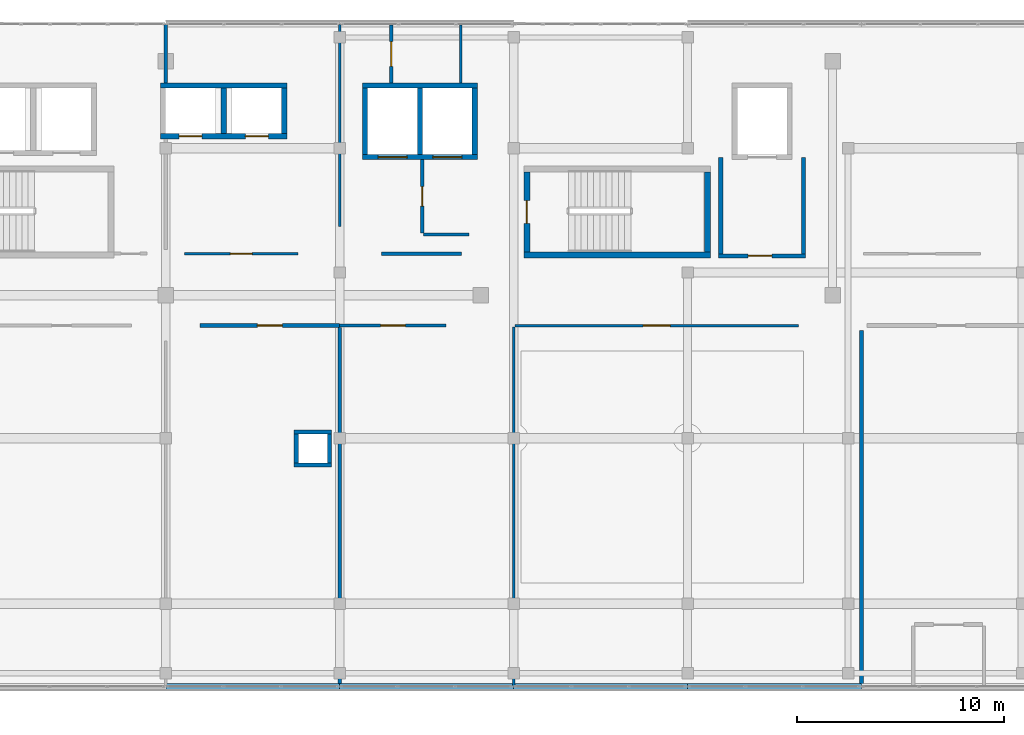
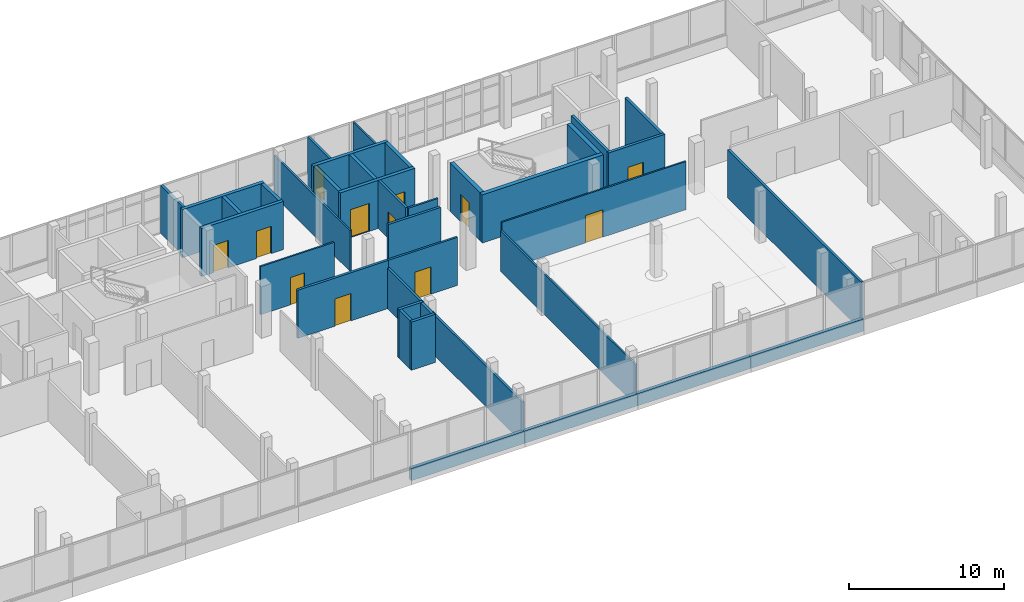
# One storey, part 58 of 66: 37 walls, 12 doors, 12 openings.
"""IFC4 building model written with IfcOpenShell, lengths in metres."""

from ifc_helpers import new_model, si_unit, direction, frame, frame_2d, origin, place, context, subcontext, project, spatial, rectangle, extrude, material, layer, layer_set, type_object, element, fill, save


model = new_model("IFC4")

# Units and contexts
model_context = context("Model", 3, precision=1e-05, world=origin(), true_north=direction((0.0, 1.0)))
body_context = subcontext(model_context, "Body", "Model", "MODEL_VIEW")
ifc_project = project(units=[si_unit("LENGTHUNIT", "METRE"), si_unit("AREAUNIT", "SQUARE_METRE"), si_unit("VOLUMEUNIT", "CUBIC_METRE"), si_unit("PLANEANGLEUNIT", "RADIAN"), si_unit("MASSUNIT", "GRAM", prefix="KILO")], contexts=[model_context])

# Site, building, storey
site_placement = place(None, origin())
site = spatial("IfcSite", under=ifc_project, at=site_placement, CompositionType="ELEMENT")
building_placement = place(site_placement, origin())
building = spatial("IfcBuilding", under=site, at=building_placement, Name="Selatvlak General Hospital", CompositionType="ELEMENT")
storey_placement = place(building_placement, frame((0.0, 0.0, 31.35009765625)))
storey = spatial("IfcBuildingStorey", under=building, at=storey_placement, Name="L07", CompositionType="ELEMENT", Elevation=31.35009765625)

# Walls
ifc_material_1 = material(Name="Precast concrete C40/50 - white Bauhaus spandrel", Category="concrete")
ifc_layer_1 = layer(ifc_material_1, 0.280029296875, Name="Precast concrete C40/50 - white Bauhaus spandrel", Category="concrete")
ifc_layer_set_1 = layer_set([ifc_layer_1], Name="Precast concrete C40/50 - white Bauhaus spandrel")
wall_type_1 = type_object("IfcWallType", Name="WALL-EW-02", PredefinedType="SOLIDWALL", material=ifc_layer_set_1)
for number, where, z_axis, x_axis, name in (
    (1, (148.798095703125, 88.0009765625, 0.0), (0.0, 0.0, 1.0), (-1.0, 0.0, 0.0), "L07 Bauhaus spandrel sill wall 0588"),
    (2, (140.39794921875, 88.0009765625, 0.0), (0.0, 0.0, 1.0), (-1.0, 0.0, 0.0), "L07 Bauhaus spandrel sill wall 0589"),
    (3, (131.998046875, 88.0009765625, 0.0), (0.0, 0.0, 1.0), (-1.0, 0.0, 0.0), "L07 Bauhaus spandrel sill wall 0590"),
    (4, (123.597900390625, 88.0009765625, 0.0), (0.0, 0.0, 1.0), (-1.0, 0.0, 0.0), "L07 Bauhaus spandrel sill wall 0591"),
):
    element("IfcWall", number, at=place(storey_placement, frame(where, z_axis=z_axis, x_axis=x_axis)), inside=storey, type_object=wall_type_1, Name=name, PredefinedType="SOLIDWALL", context=body_context, shape_type="SweptSolid", body=[
        extrude(rectangle(XDim=8.39599609375, YDim=0.280029296875, at=frame_2d((4.197998046875, 0.0))), origin(), (0.0, 0.0, 1.0), 0.93994140625),
    ])

# Wall, opening, door
ifc_material_2 = material(Name="Concrete C40/50", Category="concrete")
ifc_layer_2 = layer(ifc_material_2, 0.199951171875, Name="Concrete C40/50", Category="concrete")
ifc_layer_set_2 = layer_set([ifc_layer_2], Name="Concrete C40/50")
wall_type_2 = type_object("IfcWallType", Name="WALL-IW-02", PredefinedType="SOLIDWALL", material=ifc_layer_set_2)
wall_1_placement = place(storey_placement, frame((141.89990234375, 108.800048828125, 0.0), z_axis=(0.0, 0.0, 1.0), x_axis=(1.0, 0.0, 0.0)))
wall_1 = element("IfcWall", 5, at=wall_1_placement, inside=storey, type_object=wall_type_2, Name="Firefighting lobby C4 wall L07 S", PredefinedType="SOLIDWALL", context=body_context, shape_type="SweptSolid", body=[
    extrude(rectangle(XDim=4.2001953125, YDim=0.199951171875, at=frame_2d((2.10009765625, 0.0))), origin(), (0.0, 0.0, 1.0), 3.784912109375),
])
opening_1_placement = place(wall_1_placement, frame((1.425048828125, 0.0, 0.0)))
opening_1 = element("IfcOpeningElement", 6, at=opening_1_placement, cuts=wall_1, Name="Opening D-06", PredefinedType="OPENING", context=body_context, shape_type="SweptSolid", body=[
    extrude(rectangle(XDim=1.14990234375, YDim=2.14990234375, at=frame_2d((0.574951171875, 1.074951171875))), frame((0.0, 0.10986328125, 0.0), z_axis=(0.0, -1.0, 0.0), x_axis=(1.0, 0.0, 0.0)), (0.0, 0.0, 1.0), 0.219970703125),
])
ifc_material_3 = material(Name="Firefighting lobby fire door")
door_type_1 = type_object("IfcDoorType", Name="DOOR-D-06", OperationType="NOTDEFINED", PredefinedType="DOOR", material=ifc_material_3)
door_1_placement = place(opening_1_placement, origin())
door_1 = element("IfcDoor", 7, at=door_1_placement, inside=storey, type_object=door_type_1, Name="Firefighting lobby C4 door on L07", OperationType="SINGLE_SWING_LEFT", OverallHeight=2.14990234375, OverallWidth=1.14990234375, PredefinedType="DOOR", context=body_context, shape_type="SweptSolid", body=[
    extrude(rectangle(XDim=1.14990234375, YDim=2.14990234375, at=frame_2d((0.574951171875, 1.074951171875))), frame((0.0, 0.02490234375, 0.0), z_axis=(0.0, -1.0, 0.0), x_axis=(1.0, 0.0, 0.0)), (0.0, 0.0, 1.0), 0.050048828125),
])
fill(opening_1, door_1)

# Walls
for number, where, z_axis, x_axis, name in (
    (8, (146.0, 108.89990234375, 0.0), (0.0, 0.0, 1.0), (0.0, 1.0, 0.0), "Firefighting lobby C4 wall L07 E"),
    (9, (142.0, 113.550048828125, 0.0), (0.0, 0.0, 1.0), (0.0, -1.0, 0.0), "Firefighting lobby C4 wall L07 W"),
):
    element("IfcWall", number, at=place(storey_placement, frame(where, z_axis=z_axis, x_axis=x_axis)), inside=storey, type_object=wall_type_2, Name=name, PredefinedType="SOLIDWALL", context=body_context, shape_type="SweptSolid", body=[
        extrude(rectangle(XDim=4.650146484375, YDim=0.199951171875, at=frame_2d((2.3251953125, 0.0))), origin(), (0.0, 0.0, 1.0), 3.784912109375),
    ])
wall_2_placement = place(storey_placement, frame((121.39990234375, 98.699951171875, 0.0), z_axis=(0.0, 0.0, 1.0), x_axis=(1.0, 0.0, 0.0)))
element("IfcWall", 10, at=wall_2_placement, inside=storey, type_object=wall_type_2, Name="Service riser 2 shaft wall L07 S", PredefinedType="SOLIDWALL", context=body_context, shape_type="SweptSolid", body=[
    extrude(rectangle(XDim=1.800048828125, YDim=0.199951171875, at=frame_2d((0.89990234375, 0.0))), origin(), (0.0, 0.0, 1.0), 3.784912109375),
])
wall_3_placement = place(storey_placement, frame((123.10009765625, 98.800048828125, 0.0), z_axis=(0.0, 0.0, 1.0), x_axis=(0.0, 1.0, 0.0)))
element("IfcWall", 11, at=wall_3_placement, inside=storey, type_object=wall_type_2, Name="Service riser 2 shaft wall L07 E", PredefinedType="SOLIDWALL", context=body_context, shape_type="SweptSolid", body=[
    extrude(rectangle(XDim=1.39990234375, YDim=0.199951171875, at=frame_2d((0.699951171875, 0.0))), origin(), (0.0, 0.0, 1.0), 3.784912109375),
])
wall_4_placement = place(storey_placement, frame((123.199951171875, 100.300048828125, 0.0), z_axis=(0.0, 0.0, 1.0), x_axis=(-1.0, 0.0, 0.0)))
element("IfcWall", 12, at=wall_4_placement, inside=storey, type_object=wall_type_2, Name="Service riser 2 shaft wall L07 N", PredefinedType="SOLIDWALL", context=body_context, shape_type="SweptSolid", body=[
    extrude(rectangle(XDim=1.800048828125, YDim=0.199951171875, at=frame_2d((0.89990234375, 0.0))), origin(), (0.0, 0.0, 1.0), 3.784912109375),
])
wall_5_placement = place(storey_placement, frame((121.5, 100.199951171875, 0.0), z_axis=(0.0, 0.0, 1.0), x_axis=(0.0, -1.0, 0.0)))
element("IfcWall", 13, at=wall_5_placement, inside=storey, type_object=wall_type_2, Name="Service riser 2 shaft wall L07 W", PredefinedType="SOLIDWALL", context=body_context, shape_type="SweptSolid", body=[
    extrude(rectangle(XDim=1.39990234375, YDim=0.199951171875, at=frame_2d((0.699951171875, 0.0))), origin(), (0.0, 0.0, 1.0), 3.784912109375),
])

# Wall, opening, door
ifc_material_4 = material(Name="Acoustic gypsum stud partition")
ifc_layer_3 = layer(ifc_material_4, 0.179931640625, Name="Acoustic gypsum stud partition")
ifc_layer_set_3 = layer_set([ifc_layer_3], Name="Acoustic gypsum stud partition")
wall_type_3 = type_object("IfcWallType", Name="WALL-PT-01", PredefinedType="PARTITIONING", material=ifc_layer_set_3)
wall_6_placement = place(storey_placement, frame((116.85595703125, 105.43994140625, 0.0), z_axis=(0.0, 0.0, 1.0), x_axis=(1.0, 0.0, 0.0)))
wall_6 = element("IfcWall", 14, at=wall_6_placement, inside=storey, type_object=wall_type_3, Name="L07 clinical partition PT-L07-2100", PredefinedType="PARTITIONING", context=body_context, shape_type="SweptSolid", body=[
    extrude(rectangle(XDim=6.744140625, YDim=0.179931640625, at=frame_2d((3.3720703125, 0.0))), origin(), (0.0, 0.0, 1.0), 3.784912109375),
])
opening_2_placement = place(wall_6_placement, frame((2.77197265625, 0.0, 0.0)))
opening_2 = element("IfcOpeningElement", 15, at=opening_2_placement, cuts=wall_6, Name="Opening D-07", PredefinedType="OPENING", context=body_context, shape_type="SweptSolid", body=[
    extrude(rectangle(XDim=1.199951171875, YDim=2.14990234375, at=frame_2d((0.60009765625, 1.074951171875))), frame((0.0, 0.099853515625, 0.0), z_axis=(0.0, -1.0, 0.0), x_axis=(1.0, 0.0, 0.0)), (0.0, 0.0, 1.0), 0.199951171875),
])
ifc_material_5 = material(Name="Plant and store fire door")
door_type_2 = type_object("IfcDoorType", Name="DOOR-D-07", OperationType="NOTDEFINED", PredefinedType="DOOR", material=ifc_material_5)
door_2_placement = place(opening_2_placement, origin())
door_2 = element("IfcDoor", 16, at=door_2_placement, inside=storey, type_object=door_type_2, Name="L07 Multidisciplinary Rehabilitation Gymnasium 10 door", OperationType="SINGLE_SWING_RIGHT", OverallHeight=2.14990234375, OverallWidth=1.199951171875, PredefinedType="DOOR", context=body_context, shape_type="SweptSolid", body=[
    extrude(rectangle(XDim=1.199951171875, YDim=2.14990234375, at=frame_2d((0.60009765625, 1.074951171875))), frame((0.0, 0.02490234375, 0.0), z_axis=(0.0, -1.0, 0.0), x_axis=(1.0, 0.0, 0.0)), (0.0, 0.0, 1.0), 0.050048828125),
])
fill(opening_2, door_2)

# Walls
wall_7_placement = place(storey_placement, frame((148.800048828125, 105.18994140625, 0.0), z_axis=(0.0, 0.0, 1.0), x_axis=(0.0, -1.0, 0.0)))
element("IfcWall", 17, at=wall_7_placement, inside=storey, type_object=wall_type_3, Name="L07 clinical partition PT-L07-2105", PredefinedType="PARTITIONING", context=body_context, shape_type="SweptSolid", body=[
    extrude(rectangle(XDim=17.179931640625, YDim=0.179931640625, at=frame_2d((8.58984375, 0.0))), origin(), (0.0, 0.0, 1.0), 3.784912109375),
])
wall_8_placement = place(storey_placement, frame((115.199951171875, 119.989990234375, 0.0), z_axis=(0.0, 0.0, 1.0), x_axis=(0.0, -1.0, 0.0)))
element("IfcWall", 18, at=wall_8_placement, inside=storey, type_object=wall_type_3, Name="L07 clinical partition PT-L07-2135", PredefinedType="PARTITIONING", context=body_context, shape_type="SweptSolid", body=[
    extrude(rectangle(XDim=2.843017578125, YDim=0.179931640625, at=frame_2d((1.42138671875, 0.0))), origin(), (0.0, 0.0, 1.0), 3.784912109375),
])
wall_9_placement = place(storey_placement, frame((129.487060546875, 108.909912109375, 0.0), z_axis=(0.0, 0.0, 1.0), x_axis=(-1.0, 0.0, 0.0)))
element("IfcWall", 19, at=wall_9_placement, inside=storey, type_object=wall_type_3, Name="L07 clinical partition PT-L07-2142", PredefinedType="PARTITIONING", context=body_context, shape_type="SweptSolid", body=[
    extrude(rectangle(XDim=3.8759765625, YDim=0.179931640625, at=frame_2d((1.93798828125, 0.0))), origin(), (0.0, 0.0, 1.0), 3.784912109375),
])
ifc_layer_4 = layer(ifc_material_4, 0.1650390625, Name="Acoustic gypsum stud partition")
ifc_layer_set_4 = layer_set([ifc_layer_4], Name="Acoustic gypsum stud partition")
wall_type_4 = type_object("IfcWallType", Name="WALL-PT-02", PredefinedType="PARTITIONING", material=ifc_layer_set_4)
wall_10_placement = place(storey_placement, frame((123.60009765625, 105.35400390625, 0.0), z_axis=(0.0, 0.0, 1.0), x_axis=(0.0, -1.0, 0.0)))
element("IfcWall", 20, at=wall_10_placement, inside=storey, type_object=wall_type_4, Name="L07 clinical partition PT-L07-2101", PredefinedType="PARTITIONING", context=body_context, shape_type="SweptSolid", body=[
    extrude(rectangle(XDim=17.343994140625, YDim=0.1650390625, at=frame_2d((8.671875, 0.0))), origin(), (0.0, 0.0, 1.0), 3.184814453125),
])

# Wall, opening, door
wall_11_placement = place(storey_placement, frame((127.590087890625, 113.452880859375, 0.0), z_axis=(0.0, 0.0, 1.0), x_axis=(0.0, -1.0, 0.0)))
wall_11 = element("IfcWall", 21, at=wall_11_placement, inside=storey, type_object=wall_type_4, Name="L07 clinical partition PT-L07-2140", PredefinedType="PARTITIONING", context=body_context, shape_type="SweptSolid", body=[
    extrude(rectangle(XDim=3.552978515625, YDim=0.1650390625, at=frame_2d((1.7763671875, 0.0))), origin(), (0.0, 0.0, 1.0), 3.784912109375),
])
opening_3_placement = place(wall_11_placement, frame((1.301025390625, 0.0, 0.0)))
opening_3 = element("IfcOpeningElement", 22, at=opening_3_placement, cuts=wall_11, Name="Opening D-02", PredefinedType="OPENING", context=body_context, shape_type="SweptSolid", body=[
    extrude(rectangle(XDim=0.949951171875, YDim=2.10009765625, at=frame_2d((0.47509765625, 1.050048828125))), frame((0.0, 0.092529296875, 0.0), z_axis=(0.0, -1.0, 0.0), x_axis=(1.0, 0.0, 0.0)), (0.0, 0.0, 1.0), 0.18505859375),
])
ifc_material_6 = material(Name="Moisture-resistant en-suite door")
door_type_3 = type_object("IfcDoorType", Name="DOOR-D-02", OperationType="NOTDEFINED", PredefinedType="DOOR", material=ifc_material_6)
door_3_placement = place(opening_3_placement, origin())
door_3 = element("IfcDoor", 23, at=door_3_placement, inside=storey, type_object=door_type_3, Name="L07 Single Patient Room 25 door", OperationType="SINGLE_SWING_LEFT", OverallHeight=2.10009765625, OverallWidth=0.949951171875, PredefinedType="DOOR", context=body_context, shape_type="SweptSolid", body=[
    extrude(rectangle(XDim=0.949951171875, YDim=2.10009765625, at=frame_2d((0.47509765625, 1.050048828125))), frame((0.0, 0.02490234375, 0.0), z_axis=(0.0, -1.0, 0.0), x_axis=(1.0, 0.0, 0.0)), (0.0, 0.0, 1.0), 0.050048828125),
])
fill(opening_3, door_3)

wall_12_placement = place(storey_placement, frame((126.090087890625, 119.9580078125, 0.0), z_axis=(0.0, 0.0, 1.0), x_axis=(0.0, -1.0, 0.0)))
wall_12 = element("IfcWall", 24, at=wall_12_placement, inside=storey, type_object=wall_type_4, Name="L07 clinical partition PT-L07-2143", PredefinedType="PARTITIONING", context=body_context, shape_type="SweptSolid", body=[
    extrude(rectangle(XDim=2.81103515625, YDim=0.1650390625, at=frame_2d((1.405517578125, 0.0))), origin(), (0.0, 0.0, 1.0), 3.784912109375),
])
opening_4_placement = place(wall_12_placement, frame((0.804931640625, 0.0, 0.0)))
opening_4 = element("IfcOpeningElement", 25, at=opening_4_placement, cuts=wall_12, Name="Opening D-07", PredefinedType="OPENING", context=body_context, shape_type="SweptSolid", body=[
    extrude(rectangle(XDim=1.199951171875, YDim=2.14990234375, at=frame_2d((0.60009765625, 1.074951171875))), frame((0.0, 0.092529296875, 0.0), z_axis=(0.0, -1.0, 0.0), x_axis=(1.0, 0.0, 0.0)), (0.0, 0.0, 1.0), 0.18505859375),
])
door_4_placement = place(opening_4_placement, origin())
door_4 = element("IfcDoor", 26, at=door_4_placement, inside=storey, type_object=door_type_2, Name="L07 Patient En-Suite WC 25 door", OperationType="SINGLE_SWING_RIGHT", OverallHeight=2.14990234375, OverallWidth=1.199951171875, PredefinedType="DOOR", context=body_context, shape_type="SweptSolid", body=[
    extrude(rectangle(XDim=1.199951171875, YDim=2.14990234375, at=frame_2d((0.60009765625, 1.074951171875))), frame((0.0, 0.02490234375, 0.0), z_axis=(0.0, -1.0, 0.0), x_axis=(1.0, 0.0, 0.0)), (0.0, 0.0, 1.0), 0.050048828125),
])
fill(opening_4, door_4)

ifc_layer_5 = layer(ifc_material_4, 0.14990234375, Name="Acoustic gypsum stud partition")
ifc_layer_set_5 = layer_set([ifc_layer_5], Name="Acoustic gypsum stud partition")
wall_type_5 = type_object("IfcWallType", Name="WALL-PT-03", PredefinedType="PARTITIONING", material=ifc_layer_set_5)
wall_13_placement = place(storey_placement, frame((123.60009765625, 105.43994140625, 0.0), z_axis=(0.0, 0.0, 1.0), x_axis=(1.0, 0.0, 0.0)))
wall_13 = element("IfcWall", 27, at=wall_13_placement, inside=storey, type_object=wall_type_5, Name="L07 clinical partition PT-L07-2102", PredefinedType="PARTITIONING", context=body_context, shape_type="SweptSolid", body=[
    extrude(rectangle(XDim=5.143798828125, YDim=0.14990234375, at=frame_2d((2.57177734375, 0.0))), origin(), (0.0, 0.0, 1.0), 3.784912109375),
])
opening_5_placement = place(wall_13_placement, frame((1.971923828125, 0.0, 0.0)))
opening_5 = element("IfcOpeningElement", 28, at=opening_5_placement, cuts=wall_13, Name="Opening D-23", PredefinedType="OPENING", context=body_context, shape_type="SweptSolid", body=[
    extrude(rectangle(XDim=1.199951171875, YDim=2.14990234375, at=frame_2d((0.60009765625, 1.074951171875))), frame((0.0, 0.0849609375, 0.0), z_axis=(0.0, -1.0, 0.0), x_axis=(1.0, 0.0, 0.0)), (0.0, 0.0, 1.0), 0.169921875),
])
ifc_material_7 = material(Name="Endoscopy clinical door")
door_type_4 = type_object("IfcDoorType", Name="DOOR-D-23", OperationType="NOTDEFINED", PredefinedType="DOOR", material=ifc_material_7)
door_5_placement = place(opening_5_placement, origin())
door_5 = element("IfcDoor", 29, at=door_5_placement, inside=storey, type_object=door_type_4, Name="L07 Hospital Administration Office 11 door", OperationType="SINGLE_SWING_LEFT", OverallHeight=2.14990234375, OverallWidth=1.199951171875, PredefinedType="DOOR", context=body_context, shape_type="SweptSolid", body=[
    extrude(rectangle(XDim=1.199951171875, YDim=2.14990234375, at=frame_2d((0.60009765625, 1.074951171875))), frame((0.0, 0.02490234375, 0.0), z_axis=(0.0, -1.0, 0.0), x_axis=(1.0, 0.0, 0.0)), (0.0, 0.0, 1.0), 0.050048828125),
])
fill(opening_5, door_5)

# Walls
ifc_material_8 = material(Name="Moisture-resistant clinical partition")
ifc_layer_6 = layer(ifc_material_8, 0.135009765625, Name="Moisture-resistant clinical partition")
ifc_layer_set_6 = layer_set([ifc_layer_6], Name="Moisture-resistant clinical partition")
wall_type_6 = type_object("IfcWallType", Name="WALL-PT-04", PredefinedType="PARTITIONING", material=ifc_layer_set_6)
wall_14_placement = place(storey_placement, frame((132.0, 105.3779296875, 0.0), z_axis=(0.0, 0.0, 1.0), x_axis=(0.0, -1.0, 0.0)))
element("IfcWall", 30, at=wall_14_placement, inside=storey, type_object=wall_type_6, Name="L07 clinical partition PT-L07-2103", PredefinedType="PARTITIONING", context=body_context, shape_type="SweptSolid", body=[
    extrude(rectangle(XDim=17.367919921875, YDim=0.135009765625, at=frame_2d((8.68408203125, 0.0))), origin(), (0.0, 0.0, 1.0), 3.184814453125),
])
wall_15_placement = place(storey_placement, frame((123.60009765625, 119.989990234375, 0.0), z_axis=(0.0, 0.0, 1.0), x_axis=(0.0, -1.0, 0.0)))
element("IfcWall", 31, at=wall_15_placement, inside=storey, type_object=wall_type_6, Name="L07 clinical partition PT-L07-2138", PredefinedType="PARTITIONING", context=body_context, shape_type="SweptSolid", body=[
    extrude(rectangle(XDim=9.780029296875, YDim=0.135009765625, at=frame_2d((4.89013671875, 0.0))), origin(), (0.0, 0.0, 1.0), 3.184814453125),
])
wall_16_placement = place(storey_placement, frame((127.64990234375, 109.840087890625, 0.0), z_axis=(0.0, 0.0, 1.0), x_axis=(1.0, 0.0, 0.0)))
element("IfcWall", 32, at=wall_16_placement, inside=storey, type_object=wall_type_6, Name="L07 clinical partition PT-L07-2141", PredefinedType="PARTITIONING", context=body_context, shape_type="SweptSolid", body=[
    extrude(rectangle(XDim=2.190185546875, YDim=0.135009765625, at=frame_2d((1.09521484375, 0.0))), origin(), (0.0, 0.0, 1.0), 3.784912109375),
])
wall_17_placement = place(storey_placement, frame((129.449951171875, 119.9580078125, 0.0), z_axis=(0.0, 0.0, 1.0), x_axis=(0.0, -1.0, 0.0)))
element("IfcWall", 33, at=wall_17_placement, inside=storey, type_object=wall_type_6, Name="L07 clinical partition PT-L07-2144", PredefinedType="PARTITIONING", context=body_context, shape_type="SweptSolid", body=[
    extrude(rectangle(XDim=2.81103515625, YDim=0.135009765625, at=frame_2d((1.405517578125, 0.0))), origin(), (0.0, 0.0, 1.0), 3.784912109375),
])

# Wall, opening, door
ifc_layer_7 = layer(ifc_material_8, 0.1201171875, Name="Moisture-resistant clinical partition")
ifc_layer_set_7 = layer_set([ifc_layer_7], Name="Moisture-resistant clinical partition")
wall_type_7 = type_object("IfcWallType", Name="WALL-PT-05", PredefinedType="PARTITIONING", material=ifc_layer_set_7)
wall_18_placement = place(storey_placement, frame((132.055908203125, 105.43994140625, 0.0), z_axis=(0.0, 0.0, 1.0), x_axis=(1.0, 0.0, 0.0)))
wall_18 = element("IfcWall", 34, at=wall_18_placement, inside=storey, type_object=wall_type_7, Name="L07 clinical partition PT-L07-2104", PredefinedType="PARTITIONING", context=body_context, shape_type="SweptSolid", body=[
    extrude(rectangle(XDim=13.68798828125, YDim=0.1201171875, at=frame_2d((6.843994140625, 0.0))), origin(), (0.0, 0.0, 1.0), 3.784912109375),
])
opening_6_placement = place(wall_18_placement, frame((6.194091796875, 0.0, 0.0)))
opening_6 = element("IfcOpeningElement", 35, at=opening_6_placement, cuts=wall_18, Name="Opening D-24", PredefinedType="OPENING", context=body_context, shape_type="SweptSolid", body=[
    extrude(rectangle(XDim=1.300048828125, YDim=2.14990234375, at=frame_2d((0.64990234375, 1.074951171875))), frame((0.0, 0.070068359375, 0.0), z_axis=(0.0, -1.0, 0.0), x_axis=(1.0, 0.0, 0.0)), (0.0, 0.0, 1.0), 0.14013671875),
])
ifc_material_9 = material(Name="Oncology bay door")
door_type_5 = type_object("IfcDoorType", Name="DOOR-D-24", OperationType="NOTDEFINED", PredefinedType="DOOR", material=ifc_material_9)
door_6_placement = place(opening_6_placement, origin())
door_6 = element("IfcDoor", 36, at=door_6_placement, inside=storey, type_object=door_type_5, Name="L07 Multidisciplinary Rehabilitation Gymnasium 12 door", OperationType="SINGLE_SWING_RIGHT", OverallHeight=2.14990234375, OverallWidth=1.300048828125, PredefinedType="DOOR", context=body_context, shape_type="SweptSolid", body=[
    extrude(rectangle(XDim=1.300048828125, YDim=2.14990234375, at=frame_2d((0.64990234375, 1.074951171875))), frame((0.0, 0.02490234375, 0.0), z_axis=(0.0, -1.0, 0.0), x_axis=(1.0, 0.0, 0.0)), (0.0, 0.0, 1.0), 0.050048828125),
])
fill(opening_6, door_6)

wall_19_placement = place(storey_placement, frame((121.589111328125, 108.909912109375, 0.0), z_axis=(0.0, 0.0, 1.0), x_axis=(-1.0, 0.0, 0.0)))
wall_19 = element("IfcWall", 37, at=wall_19_placement, inside=storey, type_object=wall_type_7, Name="L07 clinical partition PT-L07-2139", PredefinedType="PARTITIONING", context=body_context, shape_type="SweptSolid", body=[
    extrude(rectangle(XDim=5.47607421875, YDim=0.1201171875, at=frame_2d((2.738037109375, 0.0))), origin(), (0.0, 0.0, 1.0), 3.784912109375),
])
opening_7_placement = place(wall_19_placement, frame((2.212890625, 0.0, 0.0)))
opening_7 = element("IfcOpeningElement", 38, at=opening_7_placement, cuts=wall_19, Name="Opening D-04", PredefinedType="OPENING", context=body_context, shape_type="SweptSolid", body=[
    extrude(rectangle(XDim=1.050048828125, YDim=2.14990234375, at=frame_2d((0.52490234375, 1.074951171875))), frame((0.0, 0.070068359375, 0.0), z_axis=(0.0, -1.0, 0.0), x_axis=(1.0, 0.0, 0.0)), (0.0, 0.0, 1.0), 0.14013671875),
])
ifc_material_10 = material(Name="Consultation room door")
door_type_6 = type_object("IfcDoorType", Name="DOOR-D-04", OperationType="NOTDEFINED", PredefinedType="DOOR", material=ifc_material_10)
door_7_placement = place(opening_7_placement, origin())
door_7 = element("IfcDoor", 39, at=door_7_placement, inside=storey, type_object=door_type_6, Name="L07 Physiotherapy Splint Room 24 door", OperationType="SINGLE_SWING_RIGHT", OverallHeight=2.14990234375, OverallWidth=1.050048828125, PredefinedType="DOOR", context=body_context, shape_type="SweptSolid", body=[
    extrude(rectangle(XDim=1.050048828125, YDim=2.14990234375, at=frame_2d((0.52490234375, 1.074951171875))), frame((0.0, 0.02490234375, 0.0), z_axis=(0.0, -1.0, 0.0), x_axis=(1.0, 0.0, 0.0)), (0.0, 0.0, 1.0), 0.050048828125),
])
fill(opening_7, door_7)

# Walls
ifc_material_11 = material(Name="Concrete C45/55", Category="concrete")
ifc_layer_8 = layer(ifc_material_11, 0.300048828125, Name="Concrete C45/55", Category="concrete")
ifc_layer_set_8 = layer_set([ifc_layer_8], Name="Concrete C45/55")
wall_type_8 = type_object("IfcWallType", Name="WALL-SW-02", PredefinedType="SHEAR", material=ifc_layer_set_8)
wall_20_placement = place(storey_placement, frame((132.489990234375, 108.840087890625, 0.0), z_axis=(0.0, 0.0, 1.0), x_axis=(1.0, 0.0, 0.0)))
element("IfcWall", 40, at=wall_20_placement, inside=storey, type_object=wall_type_8, Name="ST-04 core shear wall L07 S", PredefinedType="SHEAR", context=body_context, shape_type="SweptSolid", body=[
    extrude(rectangle(XDim=9.02001953125, YDim=0.300048828125, at=frame_2d((4.510009765625, 0.0))), origin(), (0.0, 0.0, 1.0), 3.784912109375),
])
wall_21_placement = place(storey_placement, frame((141.360107421875, 108.989990234375, 0.0), z_axis=(0.0, 0.0, 1.0), x_axis=(0.0, 1.0, 0.0)))
element("IfcWall", 41, at=wall_21_placement, inside=storey, type_object=wall_type_8, Name="ST-04 core shear wall L07 E", PredefinedType="SHEAR", context=body_context, shape_type="SweptSolid", body=[
    extrude(rectangle(XDim=3.860107421875, YDim=0.300048828125, at=frame_2d((1.93017578125, 0.0))), origin(), (0.0, 0.0, 1.0), 3.784912109375),
])

# Wall, opening, door
wall_22_placement = place(storey_placement, frame((132.639892578125, 112.85009765625, 0.0), z_axis=(0.0, 0.0, 1.0), x_axis=(0.0, -1.0, 0.0)))
wall_22 = element("IfcWall", 42, at=wall_22_placement, inside=storey, type_object=wall_type_8, Name="ST-04 core shear wall L07 W", PredefinedType="SHEAR", context=body_context, shape_type="SweptSolid", body=[
    extrude(rectangle(XDim=3.860107421875, YDim=0.300048828125, at=frame_2d((1.93017578125, 0.0))), origin(), (0.0, 0.0, 1.0), 3.784912109375),
])
opening_8_placement = place(wall_22_placement, frame((1.3798828125, 0.0, 0.0)))
opening_8 = element("IfcOpeningElement", 43, at=opening_8_placement, cuts=wall_22, Name="Opening D-05", PredefinedType="OPENING", context=body_context, shape_type="SweptSolid", body=[
    extrude(rectangle(XDim=1.10009765625, YDim=2.14990234375, at=frame_2d((0.550048828125, 1.074951171875))), frame((0.0, 0.159912109375, 0.0), z_axis=(0.0, -1.0, 0.0), x_axis=(1.0, 0.0, 0.0)), (0.0, 0.0, 1.0), 0.320068359375),
])
ifc_material_12 = material(Name="Protected stair fire door")
door_type_7 = type_object("IfcDoorType", Name="DOOR-D-05", OperationType="NOTDEFINED", PredefinedType="DOOR", material=ifc_material_12)
door_8_placement = place(opening_8_placement, origin())
door_8 = element("IfcDoor", 44, at=door_8_placement, inside=storey, type_object=door_type_7, Name="ST-04 protected stair door on L07", OperationType="SINGLE_SWING_RIGHT", OverallHeight=2.14990234375, OverallWidth=1.10009765625, PredefinedType="DOOR", context=body_context, shape_type="SweptSolid", body=[
    extrude(rectangle(XDim=1.10009765625, YDim=2.14990234375, at=frame_2d((0.550048828125, 1.074951171875))), frame((0.0, 0.02490234375, 0.0), z_axis=(0.0, -1.0, 0.0), x_axis=(1.0, 0.0, 0.0)), (0.0, 0.0, 1.0), 0.050048828125),
])
fill(opening_8, door_8)

# Wall, openings, doors
ifc_layer_9 = layer(ifc_material_2, 0.25, Name="Concrete C40/50", Category="concrete")
ifc_layer_set_9 = layer_set([ifc_layer_9], Name="Concrete C40/50")
wall_type_9 = type_object("IfcWallType", Name="WALL-SW-03", PredefinedType="SHEAR", material=ifc_layer_set_9)
wall_23_placement = place(storey_placement, frame((124.699951171875, 113.574951171875, 0.0), z_axis=(0.0, 0.0, 1.0), x_axis=(1.0, 0.0, 0.0)))
wall_23 = element("IfcWall", 45, at=wall_23_placement, inside=storey, type_object=wall_type_9, Name="Lift LB-03-LB-04 shaft wall L07 S", PredefinedType="SHEAR", context=body_context, shape_type="SweptSolid", body=[
    extrude(rectangle(XDim=5.550048828125, YDim=0.25, at=frame_2d((2.77490234375, 0.0))), origin(), (0.0, 0.0, 1.0), 3.784912109375),
])
opening_9_placement = place(wall_23_placement, frame((0.75, 0.0, 0.0)))
opening_9 = element("IfcOpeningElement", 46, at=opening_9_placement, cuts=wall_23, Name="Opening LD-B1", PredefinedType="OPENING", context=body_context, shape_type="SweptSolid", body=[
    extrude(rectangle(XDim=1.39990234375, YDim=2.199951171875, at=frame_2d((0.699951171875, 1.10009765625))), frame((0.0, 0.135009765625, 0.0), z_axis=(0.0, -1.0, 0.0), x_axis=(1.0, 0.0, 0.0)), (0.0, 0.0, 1.0), 0.27001953125),
])
opening_10_placement = place(wall_23_placement, frame((3.39990234375, 0.0, 0.0)))
opening_10 = element("IfcOpeningElement", 47, at=opening_10_placement, cuts=wall_23, Name="Opening LD-B1", PredefinedType="OPENING", context=body_context, shape_type="SweptSolid", body=[
    extrude(rectangle(XDim=1.39990234375, YDim=2.199951171875, at=frame_2d((0.699951171875, 1.10009765625))), frame((0.0, 0.135009765625, 0.0), z_axis=(0.0, -1.0, 0.0), x_axis=(1.0, 0.0, 0.0)), (0.0, 0.0, 1.0), 0.27001953125),
])
ifc_material_13 = material(Name="Stainless steel stretcher lift landing door", Category="steel")
door_type_8 = type_object("IfcDoorType", Name="DOOR-LD-B1", OperationType="DOUBLE_DOOR_SLIDING", PredefinedType="DOOR", material=ifc_material_13)
door_9_placement = place(opening_9_placement, origin())
door_9 = element("IfcDoor", 48, at=door_9_placement, inside=storey, type_object=door_type_8, Name="Lift LB-03 sliding landing door on L07", OperationType="DOUBLE_DOOR_SLIDING", OverallHeight=2.199951171875, OverallWidth=1.39990234375, PredefinedType="DOOR", context=body_context, shape_type="SweptSolid", body=[
    extrude(rectangle(XDim=1.39990234375, YDim=2.199951171875, at=frame_2d((0.699951171875, 1.10009765625))), frame((0.0, 0.02490234375, 0.0), z_axis=(0.0, -1.0, 0.0), x_axis=(1.0, 0.0, 0.0)), (0.0, 0.0, 1.0), 0.050048828125),
])
fill(opening_9, door_9)
door_10_placement = place(opening_10_placement, origin())
door_10 = element("IfcDoor", 49, at=door_10_placement, inside=storey, type_object=door_type_8, Name="Lift LB-04 sliding landing door on L07", OperationType="DOUBLE_DOOR_SLIDING", OverallHeight=2.199951171875, OverallWidth=1.39990234375, PredefinedType="DOOR", context=body_context, shape_type="SweptSolid", body=[
    extrude(rectangle(XDim=1.39990234375, YDim=2.199951171875, at=frame_2d((0.699951171875, 1.10009765625))), frame((0.0, 0.02490234375, 0.0), z_axis=(0.0, -1.0, 0.0), x_axis=(1.0, 0.0, 0.0)), (0.0, 0.0, 1.0), 0.050048828125),
])
fill(opening_10, door_10)

# Walls
wall_24_placement = place(storey_placement, frame((130.125, 113.699951171875, 0.0), z_axis=(0.0, 0.0, 1.0), x_axis=(0.0, 1.0, 0.0)))
element("IfcWall", 50, at=wall_24_placement, inside=storey, type_object=wall_type_9, Name="Lift LB-03-LB-04 shaft wall L07 E", PredefinedType="SHEAR", context=body_context, shape_type="SweptSolid", body=[
    extrude(rectangle(XDim=3.199951171875, YDim=0.25, at=frame_2d((1.60009765625, 0.0))), origin(), (0.0, 0.0, 1.0), 3.784912109375),
])
wall_25_placement = place(storey_placement, frame((130.25, 117.02490234375, 0.0), z_axis=(0.0, 0.0, 1.0), x_axis=(-1.0, 0.0, 0.0)))
element("IfcWall", 51, at=wall_25_placement, inside=storey, type_object=wall_type_9, Name="Lift LB-03-LB-04 shaft wall L07 N", PredefinedType="SHEAR", context=body_context, shape_type="SweptSolid", body=[
    extrude(rectangle(XDim=5.550048828125, YDim=0.25, at=frame_2d((2.77490234375, 0.0))), origin(), (0.0, 0.0, 1.0), 3.784912109375),
])
for number, where, z_axis, x_axis, name in (
    (52, (124.824951171875, 116.89990234375, 0.0), (0.0, 0.0, 1.0), (0.0, -1.0, 0.0), "Lift LB-03-LB-04 shaft wall L07 W"),
    (53, (127.47509765625, 113.699951171875, 0.0), (0.0, 0.0, 1.0), (0.0, 1.0, 0.0), "Lift LB-03-LB-04 dividing shaft wall L07"),
):
    element("IfcWall", number, at=place(storey_placement, frame(where, z_axis=z_axis, x_axis=x_axis)), inside=storey, type_object=wall_type_9, Name=name, PredefinedType="SHEAR", context=body_context, shape_type="SweptSolid", body=[
        extrude(rectangle(XDim=3.199951171875, YDim=0.25, at=frame_2d((1.60009765625, 0.0))), origin(), (0.0, 0.0, 1.0), 3.784912109375),
    ])

# Wall, openings, doors
wall_26_placement = place(storey_placement, frame((114.949951171875, 114.574951171875, 0.0), z_axis=(0.0, 0.0, 1.0), x_axis=(1.0, 0.0, 0.0)))
wall_26 = element("IfcWall", 54, at=wall_26_placement, inside=storey, type_object=wall_type_9, Name="Lift LP-05-LP-06 shaft wall L07 S", PredefinedType="SHEAR", context=body_context, shape_type="SweptSolid", body=[
    extrude(rectangle(XDim=6.10009765625, YDim=0.25, at=frame_2d((3.050048828125, 0.0))), origin(), (0.0, 0.0, 1.0), 3.784912109375),
])
opening_11_placement = place(wall_26_placement, frame((0.89990234375, 0.0, 0.0)))
opening_11 = element("IfcOpeningElement", 55, at=opening_11_placement, cuts=wall_26, Name="Opening LD-P1", PredefinedType="OPENING", context=body_context, shape_type="SweptSolid", body=[
    extrude(rectangle(XDim=1.10009765625, YDim=2.14990234375, at=frame_2d((0.550048828125, 1.074951171875))), frame((0.0, 0.135009765625, 0.0), z_axis=(0.0, -1.0, 0.0), x_axis=(1.0, 0.0, 0.0)), (0.0, 0.0, 1.0), 0.27001953125),
])
opening_12_placement = place(wall_26_placement, frame((4.10009765625, 0.0, 0.0)))
opening_12 = element("IfcOpeningElement", 56, at=opening_12_placement, cuts=wall_26, Name="Opening LD-P1", PredefinedType="OPENING", context=body_context, shape_type="SweptSolid", body=[
    extrude(rectangle(XDim=1.10009765625, YDim=2.14990234375, at=frame_2d((0.550048828125, 1.074951171875))), frame((0.0, 0.135009765625, 0.0), z_axis=(0.0, -1.0, 0.0), x_axis=(1.0, 0.0, 0.0)), (0.0, 0.0, 1.0), 0.27001953125),
])
ifc_material_14 = material(Name="Stainless steel passenger lift landing door", Category="steel")
door_type_9 = type_object("IfcDoorType", Name="DOOR-LD-P1", OperationType="DOUBLE_DOOR_SLIDING", PredefinedType="DOOR", material=ifc_material_14)
door_11_placement = place(opening_11_placement, origin())
door_11 = element("IfcDoor", 57, at=door_11_placement, inside=storey, type_object=door_type_9, Name="Lift LP-05 sliding landing door on L07", OperationType="DOUBLE_DOOR_SLIDING", OverallHeight=2.14990234375, OverallWidth=1.10009765625, PredefinedType="DOOR", context=body_context, shape_type="SweptSolid", body=[
    extrude(rectangle(XDim=1.10009765625, YDim=2.14990234375, at=frame_2d((0.550048828125, 1.074951171875))), frame((0.0, 0.02490234375, 0.0), z_axis=(0.0, -1.0, 0.0), x_axis=(1.0, 0.0, 0.0)), (0.0, 0.0, 1.0), 0.050048828125),
])
fill(opening_11, door_11)
door_12_placement = place(opening_12_placement, origin())
door_12 = element("IfcDoor", 58, at=door_12_placement, inside=storey, type_object=door_type_9, Name="Lift LP-06 sliding landing door on L07", OperationType="DOUBLE_DOOR_SLIDING", OverallHeight=2.14990234375, OverallWidth=1.10009765625, PredefinedType="DOOR", context=body_context, shape_type="SweptSolid", body=[
    extrude(rectangle(XDim=1.10009765625, YDim=2.14990234375, at=frame_2d((0.550048828125, 1.074951171875))), frame((0.0, 0.02490234375, 0.0), z_axis=(0.0, -1.0, 0.0), x_axis=(1.0, 0.0, 0.0)), (0.0, 0.0, 1.0), 0.050048828125),
])
fill(opening_12, door_12)

# Walls
wall_27_placement = place(storey_placement, frame((120.925048828125, 114.699951171875, 0.0), z_axis=(0.0, 0.0, 1.0), x_axis=(0.0, 1.0, 0.0)))
element("IfcWall", 59, at=wall_27_placement, inside=storey, type_object=wall_type_9, Name="Lift LP-05-LP-06 shaft wall L07 E", PredefinedType="SHEAR", context=body_context, shape_type="SweptSolid", body=[
    extrude(rectangle(XDim=2.199951171875, YDim=0.25, at=frame_2d((1.10009765625, 0.0))), origin(), (0.0, 0.0, 1.0), 3.784912109375),
])
wall_28_placement = place(storey_placement, frame((121.050048828125, 117.02490234375, 0.0), z_axis=(0.0, 0.0, 1.0), x_axis=(-1.0, 0.0, 0.0)))
element("IfcWall", 60, at=wall_28_placement, inside=storey, type_object=wall_type_9, Name="Lift LP-05-LP-06 shaft wall L07 N", PredefinedType="SHEAR", context=body_context, shape_type="SweptSolid", body=[
    extrude(rectangle(XDim=6.10009765625, YDim=0.25, at=frame_2d((3.050048828125, 0.0))), origin(), (0.0, 0.0, 1.0), 3.784912109375),
])
wall_29_placement = place(storey_placement, frame((118.0, 114.699951171875, 0.0), z_axis=(0.0, 0.0, 1.0), x_axis=(0.0, 1.0, 0.0)))
element("IfcWall", 61, at=wall_29_placement, inside=storey, type_object=wall_type_9, Name="Lift LP-05-LP-06 dividing shaft wall L07", PredefinedType="SHEAR", context=body_context, shape_type="SweptSolid", body=[
    extrude(rectangle(XDim=2.199951171875, YDim=0.25, at=frame_2d((1.10009765625, 0.0))), origin(), (0.0, 0.0, 1.0), 3.784912109375),
])

save(model, "model.ifc")
